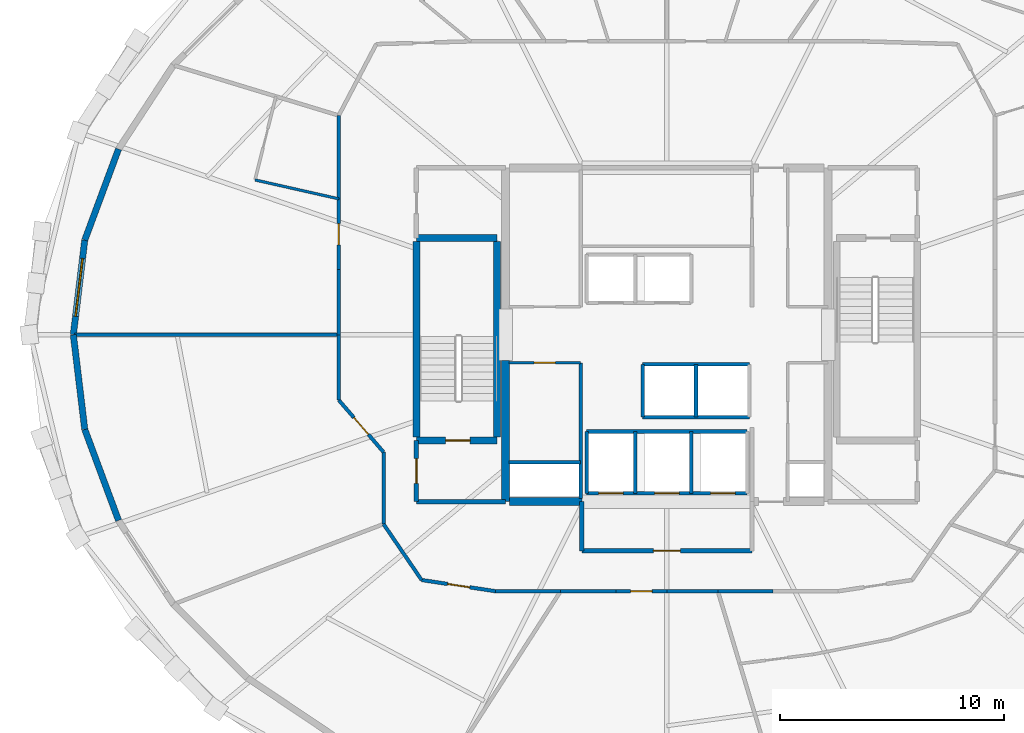
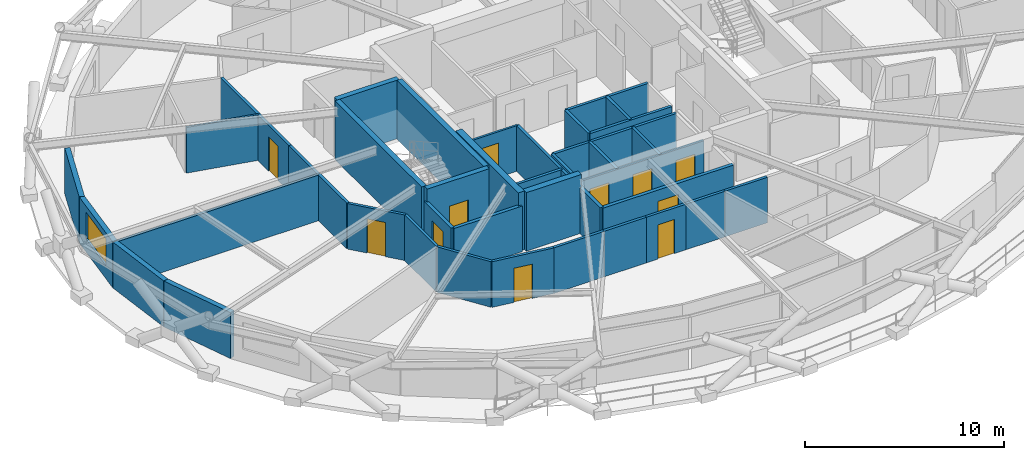
# One storey, part 14 of 21: 41 walls, 11 doors, 1 window, 12 openings.
"""IFC4 building model written with IfcOpenShell, lengths in metres."""

from ifc_helpers import new_model, si_unit, direction, frame, frame_2d, origin, place, context, subcontext, project, spatial, rectangle, extrude, material, layer, layer_set, type_object, element, fill, save


model = new_model("IFC4")

# Units and contexts
model_context = context("Model", 3, precision=1e-05, world=origin(), true_north=direction((0.0, 1.0)))
body_context = subcontext(model_context, "Body", "Model", "MODEL_VIEW")
ifc_project = project(units=[si_unit("LENGTHUNIT", "METRE"), si_unit("AREAUNIT", "SQUARE_METRE"), si_unit("VOLUMEUNIT", "CUBIC_METRE"), si_unit("PLANEANGLEUNIT", "RADIAN"), si_unit("MASSUNIT", "GRAM", prefix="KILO")], contexts=[model_context])

# Site, building, storey
site_placement = place(None, origin())
site = spatial("IfcSite", under=ifc_project, at=site_placement, CompositionType="ELEMENT")
building_placement = place(site_placement, origin())
building = spatial("IfcBuilding", under=site, at=building_placement, Name="Veldorina Hangang Commons", CompositionType="ELEMENT")
storey_placement = place(building_placement, frame((0.0, 0.0, 138.800048828125)))
storey = spatial("IfcBuildingStorey", under=building, at=storey_placement, Name="L35", CompositionType="ELEMENT", Elevation=138.800048828125)

# Walls
ifc_material_1 = material(Name="Concrete C60/75", Category="concrete")
ifc_layer_1 = layer(ifc_material_1, 0.360107421875)
ifc_layer_set_1 = layer_set([ifc_layer_1], Name="Concrete C60/75")
wall_type_1 = type_object("IfcWallType", Name="CW-RC360-C60", PredefinedType="SHEAR", material=ifc_layer_set_1)
wall_1_placement = place(storey_placement, frame((24.800048828125, 16.550048828125, 0.0), z_axis=(0.0, 0.0, 1.0), x_axis=(0.0, 1.0, 0.0)))
element("IfcWall", 1, at=wall_1_placement, inside=storey, type_object=wall_type_1, Name="L35 W south core shear wall", PredefinedType="SHEAR", context=body_context, shape_type="SweptSolid", body=[
    extrude(rectangle(XDim=6.300048828125, YDim=0.360107421875, at=frame_2d((3.14990234375, 0.0))), origin(), (0.0, 0.0, 1.0), 3.599853515625),
])
wall_2_placement = place(storey_placement, frame((24.97998046875, 16.550048828125, 0.0), z_axis=(0.0, 0.0, 1.0), x_axis=(1.0, 0.0, 0.0)))
element("IfcWall", 2, at=wall_2_placement, inside=storey, type_object=wall_type_1, Name="L35 south-west core shear wall", PredefinedType="SHEAR", context=body_context, shape_type="SweptSolid", body=[
    extrude(rectangle(XDim=3.219970703125, YDim=0.360107421875, at=frame_2d((1.60986328125, 0.0))), origin(), (0.0, 0.0, 1.0), 3.599853515625),
])
ifc_material_2 = material(Name="Stone Roman Travertine", Category="masonry")
ifc_layer_2 = layer(ifc_material_2, 0.280029296875)
ifc_layer_set_2 = layer_set([ifc_layer_2], Name="Stone Roman Travertine")
wall_type_2 = type_object("IfcWallType", Name="EW-TRAV-280", PredefinedType="STANDARD", material=ifc_layer_set_2)
wall_3_placement = place(storey_placement, frame((7.518798828125, 32.289306640625, 0.0), z_axis=(0.0, 0.0, 1.0), x_axis=(-0.347886684165, -0.937536588609, 0.0)))
element("IfcWall", 3, at=wall_3_placement, inside=storey, type_object=wall_type_2, Name="L35 travertine facade wall 14", PredefinedType="STANDARD", context=body_context, shape_type="SweptSolid", body=[
    extrude(rectangle(XDim=4.334228515625, YDim=0.280029296875, at=frame_2d((2.1669921875, 0.0))), origin(), (0.0, 0.0, 1.0), 2.820068359375),
])

# Wall, opening, window
wall_4_placement = place(storey_placement, frame((6.010986328125, 28.225830078125, 0.0), z_axis=(0.0, 0.0, 1.0), x_axis=(-0.119649579006, -0.992816185527, 0.0)))
wall_4 = element("IfcWall", 4, at=wall_4_placement, inside=storey, type_object=wall_type_2, Name="L35 travertine facade wall 15", PredefinedType="STANDARD", context=body_context, shape_type="SweptSolid", body=[
    extrude(rectangle(XDim=4.25634765625, YDim=0.280029296875, at=frame_2d((2.128173828125, 0.0))), origin(), (0.0, 0.0, 1.0), 2.820068359375),
])
opening_1_placement = place(wall_4_placement, frame((0.828125, 0.0, 0.800048828125)))
opening_1 = element("IfcOpeningElement", 5, at=opening_1_placement, cuts=wall_4, Name="Opening W-02", PredefinedType="OPENING", context=body_context, shape_type="SweptSolid", body=[
    extrude(rectangle(XDim=2.60009765625, YDim=1.64990234375, at=frame_2d((1.300048828125, 0.824951171875))), frame((0.0, 0.14990234375, 0.0), z_axis=(0.0, -1.0, 0.0), x_axis=(1.0, 0.0, 0.0)), (0.0, 0.0, 1.0), 0.300048828125),
])
ifc_material_3 = material(Name="Glass Low-E Triple IGU", Category="glass")
window_type = type_object("IfcWindowType", Name="WIN-TWR-2600", PartitioningType="SINGLE_PANEL", PredefinedType="WINDOW", material=ifc_material_3)
window_placement = place(opening_1_placement, origin())
window = element("IfcWindow", 6, at=window_placement, inside=storey, type_object=window_type, Name="L35 facade window 15", OverallHeight=1.64990234375, OverallWidth=2.60009765625, PartitioningType="SINGLE_PANEL", PredefinedType="WINDOW", context=body_context, shape_type="SweptSolid", body=[
    extrude(rectangle(XDim=2.60009765625, YDim=1.64990234375, at=frame_2d((1.300048828125, 0.824951171875))), frame((0.0, 0.030029296875, 0.0), z_axis=(0.0, -1.0, 0.0), x_axis=(1.0, 0.0, 0.0)), (0.0, 0.0, 1.0), 0.06005859375),
])
fill(opening_1, window)

# Walls
wall_5_placement = place(storey_placement, frame((5.501708984375, 24.0, 0.0), z_axis=(0.0, 0.0, 1.0), x_axis=(0.119649579006, -0.992816185527, 0.0)))
element("IfcWall", 7, at=wall_5_placement, inside=storey, type_object=wall_type_2, Name="L35 travertine facade wall 16", PredefinedType="STANDARD", context=body_context, shape_type="SweptSolid", body=[
    extrude(rectangle(XDim=4.25634765625, YDim=0.280029296875, at=frame_2d((2.128173828125, 0.0))), origin(), (0.0, 0.0, 1.0), 2.820068359375),
])
wall_6_placement = place(storey_placement, frame((6.010986328125, 19.774169921875, 0.0), z_axis=(0.0, 0.0, 1.0), x_axis=(0.347886684165, -0.937536588609, 0.0)))
element("IfcWall", 8, at=wall_6_placement, inside=storey, type_object=wall_type_2, Name="L35 travertine facade wall 17", PredefinedType="STANDARD", context=body_context, shape_type="SweptSolid", body=[
    extrude(rectangle(XDim=4.334228515625, YDim=0.280029296875, at=frame_2d((2.1669921875, 0.0))), origin(), (0.0, 0.0, 1.0), 2.820068359375),
])
ifc_material_4 = material(Name="Concrete C50/60", Category="concrete")
ifc_layer_3 = layer(ifc_material_4, 0.300048828125)
ifc_layer_set_3 = layer_set([ifc_layer_3], Name="Concrete C50/60")
wall_type_3 = type_object("IfcWallType", Name="SW-STAIR-300", PredefinedType="SHEAR", material=ifc_layer_set_3)
for number, where, z_axis, x_axis, name in (
    (9, (20.820068359375, 19.429931640625, 0.0), (0.0, 0.0, 1.0), (0.0, 1.0, 0.0), "L35 ST1 outer stair shear wall"),
    (10, (24.419921875, 19.429931640625, 0.0), (0.0, 0.0, 1.0), (0.0, 1.0, 0.0), "L35 ST1 inner stair shear wall"),
):
    element("IfcWall", number, at=place(storey_placement, frame(where, z_axis=z_axis, x_axis=x_axis)), inside=storey, type_object=wall_type_3, Name=name, PredefinedType="SHEAR", context=body_context, shape_type="SweptSolid", body=[
        extrude(rectangle(XDim=8.739990234375, YDim=0.300048828125, at=frame_2d((4.3701171875, 0.0))), origin(), (0.0, 0.0, 1.0), 3.599853515625),
    ])

# Wall, opening, door
wall_7_placement = place(storey_placement, frame((20.820068359375, 19.280029296875, 0.0), z_axis=(0.0, 0.0, 1.0), x_axis=(1.0, 0.0, 0.0)))
wall_7 = element("IfcWall", 11, at=wall_7_placement, inside=storey, type_object=wall_type_3, Name="L35 ST1 south stair shear wall", PredefinedType="SHEAR", context=body_context, shape_type="SweptSolid", body=[
    extrude(rectangle(XDim=3.599853515625, YDim=0.300048828125, at=frame_2d((1.7998046875, 0.0))), origin(), (0.0, 0.0, 1.0), 3.599853515625),
])
opening_2_placement = place(wall_7_placement, frame((1.300048828125, 0.0, 0.0)))
opening_2 = element("IfcOpeningElement", 12, at=opening_2_placement, cuts=wall_7, Name="Opening D-08", PredefinedType="OPENING", context=body_context, shape_type="SweptSolid", body=[
    extrude(rectangle(XDim=1.10009765625, YDim=2.10009765625, at=frame_2d((0.550048828125, 1.050048828125))), frame((0.0, 0.16015625, 0.0), z_axis=(0.0, -1.0, 0.0), x_axis=(1.0, 0.0, 0.0)), (0.0, 0.0, 1.0), 0.320068359375),
])
ifc_material_5 = material(Name="Steel Fire-Rated Smoke Seal", Category="steel")
door_type_1 = type_object("IfcDoorType", Name="DR-FIRE-1100", OperationType="SINGLE_SWING_RIGHT", PredefinedType="DOOR", material=ifc_material_5)
door_1_placement = place(opening_2_placement, origin())
door_1 = element("IfcDoor", 13, at=door_1_placement, inside=storey, type_object=door_type_1, Name="L35 Special Escape Stair ST-1 door", OperationType="SINGLE_SWING_LEFT", OverallHeight=2.10009765625, OverallWidth=1.10009765625, PredefinedType="DOOR", context=body_context, shape_type="SweptSolid", body=[
    extrude(rectangle(XDim=1.10009765625, YDim=2.10009765625, at=frame_2d((0.550048828125, 1.050048828125))), frame((0.0, 0.02490234375, 0.0), z_axis=(0.0, -1.0, 0.0), x_axis=(1.0, 0.0, 0.0)), (0.0, 0.0, 1.0), 0.050048828125),
])
fill(opening_2, door_1)

# Walls
wall_8_placement = place(storey_placement, frame((20.820068359375, 28.320068359375, 0.0), z_axis=(0.0, 0.0, 1.0), x_axis=(1.0, 0.0, 0.0)))
element("IfcWall", 14, at=wall_8_placement, inside=storey, type_object=wall_type_3, Name="L35 ST1 north stair shear wall", PredefinedType="SHEAR", context=body_context, shape_type="SweptSolid", body=[
    extrude(rectangle(XDim=3.599853515625, YDim=0.300048828125, at=frame_2d((1.7998046875, 0.0))), origin(), (0.0, 0.0, 1.0), 3.599853515625),
])
ifc_material_6 = material(Name="Gypsum Fire-Rated Twin Stud Wall", Category="gypsum")
ifc_layer_4 = layer(ifc_material_6, 0.159912109375)
ifc_layer_set_4 = layer_set([ifc_layer_4], Name="Gypsum Fire-Rated Twin Stud Wall")
wall_type_4 = type_object("IfcWallType", Name="WL-FIRE-160", PredefinedType="SOLIDWALL", material=ifc_layer_set_4)
for number, where, z_axis, x_axis, name in (
    (15, (30.919921875, 22.679931640625, 0.0), (0.0, 0.0, 1.0), (1.0, 0.0, 0.0), "L35 Shuttle-high front shaft wall 020"),
    (16, (30.919921875, 20.320068359375, 0.0), (0.0, 0.0, 1.0), (1.0, 0.0, 0.0), "L35 Shuttle-high rear shaft wall 021"),
):
    element("IfcWall", number, at=place(storey_placement, frame(where, z_axis=z_axis, x_axis=x_axis)), inside=storey, type_object=wall_type_4, Name=name, PredefinedType="SOLIDWALL", context=body_context, shape_type="SweptSolid", body=[
        extrude(rectangle(XDim=4.760009765625, YDim=0.159912109375, at=frame_2d((2.3798828125, 0.0))), origin(), (0.0, 0.0, 1.0), 2.800048828125),
    ])
for number, where, z_axis, x_axis, name in (
    (17, (30.919921875, 20.320068359375, 0.0), (0.0, 0.0, 1.0), (0.0, 1.0, 0.0), "L35 SL-1 west shaft wall 022"),
    (18, (33.300048828125, 20.320068359375, 0.0), (0.0, 0.0, 1.0), (0.0, 1.0, 0.0), "L35 SL-1 east shaft wall 023"),
):
    element("IfcWall", number, at=place(storey_placement, frame(where, z_axis=z_axis, x_axis=x_axis)), inside=storey, type_object=wall_type_4, Name=name, PredefinedType="SOLIDWALL", context=body_context, shape_type="SweptSolid", body=[
        extrude(rectangle(XDim=2.35986328125, YDim=0.159912109375, at=frame_2d((1.179931640625, 0.0))), origin(), (0.0, 0.0, 1.0), 2.800048828125),
    ])

# Wall, openings, doors
wall_9_placement = place(storey_placement, frame((28.419921875, 16.919921875, 0.0), z_axis=(0.0, 0.0, 1.0), x_axis=(1.0, 0.0, 0.0)))
wall_9 = element("IfcWall", 19, at=wall_9_placement, inside=storey, type_object=wall_type_4, Name="L35 Emergency front shaft wall 025", PredefinedType="SOLIDWALL", context=body_context, shape_type="SweptSolid", body=[
    extrude(rectangle(XDim=7.16015625, YDim=0.159912109375, at=frame_2d((3.580078125, 0.0))), origin(), (0.0, 0.0, 1.0), 2.800048828125),
])
opening_3_placement = place(wall_9_placement, frame((0.530029296875, 0.0, 0.0)))
opening_3 = element("IfcOpeningElement", 20, at=opening_3_placement, cuts=wall_9, Name="Opening LD-03", PredefinedType="OPENING", context=body_context, shape_type="SweptSolid", body=[
    extrude(rectangle(XDim=1.10009765625, YDim=2.14990234375, at=frame_2d((0.550048828125, 1.074951171875))), frame((0.0, 0.08984375, 0.0), z_axis=(0.0, -1.0, 0.0), x_axis=(1.0, 0.0, 0.0)), (0.0, 0.0, 1.0), 0.179931640625),
])
opening_4_placement = place(wall_9_placement, frame((3.030029296875, 0.0, 0.0)))
opening_4 = element("IfcOpeningElement", 21, at=opening_4_placement, cuts=wall_9, Name="Opening LD-03", PredefinedType="OPENING", context=body_context, shape_type="SweptSolid", body=[
    extrude(rectangle(XDim=1.10009765625, YDim=2.14990234375, at=frame_2d((0.550048828125, 1.074951171875))), frame((0.0, 0.08984375, 0.0), z_axis=(0.0, -1.0, 0.0), x_axis=(1.0, 0.0, 0.0)), (0.0, 0.0, 1.0), 0.179931640625),
])
opening_5_placement = place(wall_9_placement, frame((5.530029296875, 0.0, 0.0)))
opening_5 = element("IfcOpeningElement", 22, at=opening_5_placement, cuts=wall_9, Name="Opening LD-03", PredefinedType="OPENING", context=body_context, shape_type="SweptSolid", body=[
    extrude(rectangle(XDim=1.10009765625, YDim=2.14990234375, at=frame_2d((0.550048828125, 1.074951171875))), frame((0.0, 0.08984375, 0.0), z_axis=(0.0, -1.0, 0.0), x_axis=(1.0, 0.0, 0.0)), (0.0, 0.0, 1.0), 0.179931640625),
])
ifc_material_7 = material(Name="Stainless Steel Firefighting Lift Door", Category="steel")
door_type_2 = type_object("IfcDoorType", Name="DR-LIFT-FF1100", OperationType="SLIDING_TO_RIGHT", PredefinedType="DOOR", material=ifc_material_7)
door_2_placement = place(opening_3_placement, origin())
door_2 = element("IfcDoor", 23, at=door_2_placement, inside=storey, type_object=door_type_2, Name="L35 Emergency lift FFL-1 landing door 008", OperationType="SLIDING_TO_RIGHT", OverallHeight=2.14990234375, OverallWidth=1.10009765625, PredefinedType="DOOR", context=body_context, shape_type="SweptSolid", body=[
    extrude(rectangle(XDim=1.10009765625, YDim=2.14990234375, at=frame_2d((0.550048828125, 1.074951171875))), frame((0.0, 0.02490234375, 0.0), z_axis=(0.0, -1.0, 0.0), x_axis=(1.0, 0.0, 0.0)), (0.0, 0.0, 1.0), 0.050048828125),
])
fill(opening_3, door_2)
door_3_placement = place(opening_4_placement, origin())
door_3 = element("IfcDoor", 24, at=door_3_placement, inside=storey, type_object=door_type_2, Name="L35 Emergency lift FFL-2 landing door 009", OperationType="SLIDING_TO_RIGHT", OverallHeight=2.14990234375, OverallWidth=1.10009765625, PredefinedType="DOOR", context=body_context, shape_type="SweptSolid", body=[
    extrude(rectangle(XDim=1.10009765625, YDim=2.14990234375, at=frame_2d((0.550048828125, 1.074951171875))), frame((0.0, 0.02490234375, 0.0), z_axis=(0.0, -1.0, 0.0), x_axis=(1.0, 0.0, 0.0)), (0.0, 0.0, 1.0), 0.050048828125),
])
fill(opening_4, door_3)
door_4_placement = place(opening_5_placement, origin())
door_4 = element("IfcDoor", 25, at=door_4_placement, inside=storey, type_object=door_type_2, Name="L35 Emergency lift EVL-1 landing door 010", OperationType="SLIDING_TO_RIGHT", OverallHeight=2.14990234375, OverallWidth=1.10009765625, PredefinedType="DOOR", context=body_context, shape_type="SweptSolid", body=[
    extrude(rectangle(XDim=1.10009765625, YDim=2.14990234375, at=frame_2d((0.550048828125, 1.074951171875))), frame((0.0, 0.02490234375, 0.0), z_axis=(0.0, -1.0, 0.0), x_axis=(1.0, 0.0, 0.0)), (0.0, 0.0, 1.0), 0.050048828125),
])
fill(opening_5, door_4)

# Walls
wall_10_placement = place(storey_placement, frame((28.419921875, 19.679931640625, 0.0), z_axis=(0.0, 0.0, 1.0), x_axis=(1.0, 0.0, 0.0)))
element("IfcWall", 26, at=wall_10_placement, inside=storey, type_object=wall_type_4, Name="L35 Emergency rear shaft wall 026", PredefinedType="SOLIDWALL", context=body_context, shape_type="SweptSolid", body=[
    extrude(rectangle(XDim=7.16015625, YDim=0.159912109375, at=frame_2d((3.580078125, 0.0))), origin(), (0.0, 0.0, 1.0), 2.800048828125),
])
for number, where, z_axis, x_axis, name in (
    (27, (28.419921875, 16.919921875, 0.0), (0.0, 0.0, 1.0), (0.0, 1.0, 0.0), "L35 FFL-1 west shaft wall 027"),
    (28, (30.580078125, 16.919921875, 0.0), (0.0, 0.0, 1.0), (0.0, 1.0, 0.0), "L35 FFL-1 east shaft wall 028"),
    (29, (33.080078125, 16.919921875, 0.0), (0.0, 0.0, 1.0), (0.0, 1.0, 0.0), "L35 FFL-2 east shaft wall 029"),
):
    element("IfcWall", number, at=place(storey_placement, frame(where, z_axis=z_axis, x_axis=x_axis)), inside=storey, type_object=wall_type_4, Name=name, PredefinedType="SOLIDWALL", context=body_context, shape_type="SweptSolid", body=[
        extrude(rectangle(XDim=2.760009765625, YDim=0.159912109375, at=frame_2d((1.3798828125, 0.0))), origin(), (0.0, 0.0, 1.0), 2.800048828125),
    ])
wall_11_placement = place(storey_placement, frame((24.949951171875, 18.300048828125, 0.0), z_axis=(0.0, 0.0, 1.0), x_axis=(1.0, 0.0, 0.0)))
element("IfcWall", 30, at=wall_11_placement, inside=storey, type_object=wall_type_4, Name="L35 Electrical riser wall 034", PredefinedType="SOLIDWALL", context=body_context, shape_type="SweptSolid", body=[
    extrude(rectangle(XDim=3.199951171875, YDim=0.159912109375, at=frame_2d((1.60009765625, 0.0))), origin(), (0.0, 0.0, 1.0), 2.800048828125),
])
wall_12_placement = place(storey_placement, frame((28.14990234375, 16.699951171875, 0.0), z_axis=(0.0, 0.0, 1.0), x_axis=(0.0, 1.0, 0.0)))
element("IfcWall", 31, at=wall_12_placement, inside=storey, type_object=wall_type_4, Name="L35 SW core inner wall 035", PredefinedType="SOLIDWALL", context=body_context, shape_type="SweptSolid", body=[
    extrude(rectangle(XDim=6.050048828125, YDim=0.159912109375, at=frame_2d((3.02490234375, 0.0))), origin(), (0.0, 0.0, 1.0), 2.800048828125),
])
wall_13_placement = place(storey_placement, frame((17.35009765625, 33.788818359375, 0.0), z_axis=(0.0, 0.0, 1.0), x_axis=(0.0, -1.0, 0.0)))
element("IfcWall", 32, at=wall_13_placement, inside=storey, type_object=wall_type_4, Name="L35 U-corridor outer wall 13 057", PredefinedType="SOLIDWALL", context=body_context, shape_type="SweptSolid", body=[
    extrude(rectangle(XDim=3.720703125, YDim=0.159912109375, at=frame_2d((1.8603515625, 0.0))), origin(), (0.0, 0.0, 1.0), 2.800048828125),
])

# Wall, opening, door
wall_14_placement = place(storey_placement, frame((17.35009765625, 30.068115234375, 0.0), z_axis=(0.0, 0.0, 1.0), x_axis=(0.0, -1.0, 0.0)))
wall_14 = element("IfcWall", 33, at=wall_14_placement, inside=storey, type_object=wall_type_4, Name="L35 U-corridor outer wall 14 058", PredefinedType="SOLIDWALL", context=body_context, shape_type="SweptSolid", body=[
    extrude(rectangle(XDim=3.154052734375, YDim=0.159912109375, at=frame_2d((1.5771484375, 0.0))), origin(), (0.0, 0.0, 1.0), 2.800048828125),
])
opening_6_placement = place(wall_14_placement, frame((1.10205078125, 0.0, 0.0)))
opening_6 = element("IfcOpeningElement", 34, at=opening_6_placement, cuts=wall_14, Name="Opening D-03", PredefinedType="OPENING", context=body_context, shape_type="SweptSolid", body=[
    extrude(rectangle(XDim=0.949951171875, YDim=2.10009765625, at=frame_2d((0.47509765625, 1.050048828125))), frame((0.0, 0.08984375, 0.0), z_axis=(0.0, -1.0, 0.0), x_axis=(1.0, 0.0, 0.0)), (0.0, 0.0, 1.0), 0.179931640625),
])
ifc_material_8 = material(Name="Timber Fire-Rated Entrance Core", Category="wood")
door_type_3 = type_object("IfcDoorType", Name="DR-UNIT-950", OperationType="SINGLE_SWING_RIGHT", PredefinedType="DOOR", material=ifc_material_8)
door_5_placement = place(opening_6_placement, origin())
door_5 = element("IfcDoor", 35, at=door_5_placement, inside=storey, type_object=door_type_3, Name="L35 Studio 7 entrance door 035", OperationType="SINGLE_SWING_LEFT", OverallHeight=2.10009765625, OverallWidth=0.949951171875, PredefinedType="DOOR", context=body_context, shape_type="SweptSolid", body=[
    extrude(rectangle(XDim=0.949951171875, YDim=2.10009765625, at=frame_2d((0.47509765625, 1.050048828125))), frame((0.0, 0.02490234375, 0.0), z_axis=(0.0, -1.0, 0.0), x_axis=(1.0, 0.0, 0.0)), (0.0, 0.0, 1.0), 0.050048828125),
])
fill(opening_6, door_5)

# Walls
for number, where, z_axis, x_axis, name in (
    (36, (17.35009765625, 26.9140625, 0.0), (0.0, 0.0, 1.0), (0.0, -1.0, 0.0), "L35 U-corridor outer wall 15 059"),
    (37, (17.35009765625, 24.0, 0.0), (0.0, 0.0, 1.0), (0.0, -1.0, 0.0), "L35 U-corridor outer wall 16 060"),
):
    element("IfcWall", number, at=place(storey_placement, frame(where, z_axis=z_axis, x_axis=x_axis)), inside=storey, type_object=wall_type_4, Name=name, PredefinedType="SOLIDWALL", context=body_context, shape_type="SweptSolid", body=[
        extrude(rectangle(XDim=2.9140625, YDim=0.159912109375, at=frame_2d((1.45703125, 0.0))), origin(), (0.0, 0.0, 1.0), 2.800048828125),
    ])

# Wall, opening, door
wall_15_placement = place(storey_placement, frame((17.35009765625, 21.0859375, 0.0), z_axis=(0.0, 0.0, 1.0), x_axis=(0.652022797448, -0.758199361388, 0.0)))
wall_15 = element("IfcWall", 38, at=wall_15_placement, inside=storey, type_object=wall_type_4, Name="L35 U-corridor outer wall 17 061", PredefinedType="SOLIDWALL", context=body_context, shape_type="SweptSolid", body=[
    extrude(rectangle(XDim=3.0673828125, YDim=0.159912109375, at=frame_2d((1.53369140625, 0.0))), origin(), (0.0, 0.0, 1.0), 2.800048828125),
])
opening_7_placement = place(wall_15_placement, frame((1.03369140625, 0.0, 0.0)))
opening_7 = element("IfcOpeningElement", 39, at=opening_7_placement, cuts=wall_15, Name="Opening D-05", PredefinedType="OPENING", context=body_context, shape_type="SweptSolid", body=[
    extrude(rectangle(XDim=1.0, YDim=2.10009765625, at=frame_2d((0.5, 1.050048828125))), frame((0.0, 0.08984375, 0.0), z_axis=(0.0, -1.0, 0.0), x_axis=(1.0, 0.0, 0.0)), (0.0, 0.0, 1.0), 0.179931640625),
])
ifc_material_9 = material(Name="Timber Solid Core Acoustic", Category="wood")
door_type_4 = type_object("IfcDoorType", Name="DR-INT-1000", OperationType="SINGLE_SWING_RIGHT", PredefinedType="DOOR", material=ifc_material_9)
door_6_placement = place(opening_7_placement, origin())
door_6 = element("IfcDoor", 40, at=door_6_placement, inside=storey, type_object=door_type_4, Name="L35 Floor Study Room 8 door 036", OperationType="SINGLE_SWING_RIGHT", OverallHeight=2.10009765625, OverallWidth=1.0, PredefinedType="DOOR", context=body_context, shape_type="SweptSolid", body=[
    extrude(rectangle(XDim=1.0, YDim=2.10009765625, at=frame_2d((0.5, 1.050048828125))), frame((0.0, 0.02490234375, 0.0), z_axis=(0.0, -1.0, 0.0), x_axis=(1.0, 0.0, 0.0)), (0.0, 0.0, 1.0), 0.050048828125),
])
fill(opening_7, door_6)

# Walls
wall_16_placement = place(storey_placement, frame((19.35009765625, 18.76025390625, 0.0), z_axis=(0.0, 0.0, 1.0), x_axis=(0.0, -1.0, 0.0)))
element("IfcWall", 41, at=wall_16_placement, inside=storey, type_object=wall_type_4, Name="L35 U-corridor outer wall 18 062", PredefinedType="SOLIDWALL", context=body_context, shape_type="SweptSolid", body=[
    extrude(rectangle(XDim=3.212646484375, YDim=0.159912109375, at=frame_2d((1.6064453125, 0.0))), origin(), (0.0, 0.0, 1.0), 2.800048828125),
])
wall_17_placement = place(storey_placement, frame((19.35009765625, 15.547607421875, 0.0), z_axis=(0.0, 0.0, 1.0), x_axis=(0.562674669208, -0.826678423955, 0.0)))
element("IfcWall", 42, at=wall_17_placement, inside=storey, type_object=wall_type_4, Name="L35 U-corridor outer wall 19 063", PredefinedType="SOLIDWALL", context=body_context, shape_type="SweptSolid", body=[
    extrude(rectangle(XDim=3.021240234375, YDim=0.159912109375, at=frame_2d((1.5107421875, 0.0))), origin(), (0.0, 0.0, 1.0), 2.800048828125),
])

# Wall, opening, door
wall_18_placement = place(storey_placement, frame((21.050048828125, 13.050048828125, 0.0), z_axis=(0.0, 0.0, 1.0), x_axis=(0.988710906508, -0.149835721217, 0.0)))
wall_18 = element("IfcWall", 43, at=wall_18_placement, inside=storey, type_object=wall_type_4, Name="L35 U-corridor outer wall 20 064", PredefinedType="SOLIDWALL", context=body_context, shape_type="SweptSolid", body=[
    extrude(rectangle(XDim=3.3369140625, YDim=0.159912109375, at=frame_2d((1.66845703125, 0.0))), origin(), (0.0, 0.0, 1.0), 2.800048828125),
])
opening_8_placement = place(wall_18_placement, frame((1.16845703125, 0.0, 0.0)))
opening_8 = element("IfcOpeningElement", 44, at=opening_8_placement, cuts=wall_18, Name="Opening D-05", PredefinedType="OPENING", context=body_context, shape_type="SweptSolid", body=[
    extrude(rectangle(XDim=1.0, YDim=2.10009765625, at=frame_2d((0.5, 1.050048828125))), frame((0.0, 0.08984375, 0.0), z_axis=(0.0, -1.0, 0.0), x_axis=(1.0, 0.0, 0.0)), (0.0, 0.0, 1.0), 0.179931640625),
])
door_7_placement = place(opening_8_placement, origin())
door_7 = element("IfcDoor", 45, at=door_7_placement, inside=storey, type_object=door_type_4, Name="L35 Floor Study Room 9 door 037", OperationType="SINGLE_SWING_LEFT", OverallHeight=2.10009765625, OverallWidth=1.0, PredefinedType="DOOR", context=body_context, shape_type="SweptSolid", body=[
    extrude(rectangle(XDim=1.0, YDim=2.10009765625, at=frame_2d((0.5, 1.050048828125))), frame((0.0, 0.02490234375, 0.0), z_axis=(0.0, -1.0, 0.0), x_axis=(1.0, 0.0, 0.0)), (0.0, 0.0, 1.0), 0.050048828125),
])
fill(opening_8, door_7)

# Walls
wall_19_placement = place(storey_placement, frame((24.349365234375, 12.550048828125, 0.0), z_axis=(0.0, 0.0, 1.0), x_axis=(1.0, 0.0, 0.0)))
element("IfcWall", 46, at=wall_19_placement, inside=storey, type_object=wall_type_4, Name="L35 U-corridor outer wall 21 065", PredefinedType="SOLIDWALL", context=body_context, shape_type="SweptSolid", body=[
    extrude(rectangle(XDim=2.907958984375, YDim=0.159912109375, at=frame_2d((1.4541015625, 0.0))), origin(), (0.0, 0.0, 1.0), 2.800048828125),
])
wall_20_placement = place(storey_placement, frame((27.25732421875, 12.550048828125, 0.0), z_axis=(0.0, 0.0, 1.0), x_axis=(1.0, 0.0, 0.0)))
element("IfcWall", 47, at=wall_20_placement, inside=storey, type_object=wall_type_4, Name="L35 U-corridor outer wall 22 066", PredefinedType="SOLIDWALL", context=body_context, shape_type="SweptSolid", body=[
    extrude(rectangle(XDim=2.465087890625, YDim=0.159912109375, at=frame_2d((1.232421875, 0.0))), origin(), (0.0, 0.0, 1.0), 2.800048828125),
])

# Wall, opening, door
wall_21_placement = place(storey_placement, frame((29.722412109375, 12.550048828125, 0.0), z_axis=(0.0, 0.0, 1.0), x_axis=(1.0, 0.0, 0.0)))
wall_21 = element("IfcWall", 48, at=wall_21_placement, inside=storey, type_object=wall_type_4, Name="L35 U-corridor outer wall 23 067", PredefinedType="SOLIDWALL", context=body_context, shape_type="SweptSolid", body=[
    extrude(rectangle(XDim=2.277587890625, YDim=0.159912109375, at=frame_2d((1.138671875, 0.0))), origin(), (0.0, 0.0, 1.0), 2.800048828125),
])
opening_9_placement = place(wall_21_placement, frame((0.663818359375, 0.0, 0.0)))
opening_9 = element("IfcOpeningElement", 49, at=opening_9_placement, cuts=wall_21, Name="Opening D-02", PredefinedType="OPENING", context=body_context, shape_type="SweptSolid", body=[
    extrude(rectangle(XDim=0.949951171875, YDim=2.10009765625, at=frame_2d((0.47509765625, 1.050048828125))), frame((0.0, 0.08984375, 0.0), z_axis=(0.0, -1.0, 0.0), x_axis=(1.0, 0.0, 0.0)), (0.0, 0.0, 1.0), 0.179931640625),
])
door_type_5 = type_object("IfcDoorType", Name="DR-INT-950", OperationType="SINGLE_SWING_LEFT", PredefinedType="DOOR", material=ifc_material_9)
door_8_placement = place(opening_9_placement, origin())
door_8 = element("IfcDoor", 50, at=door_8_placement, inside=storey, type_object=door_type_5, Name="L35 Linen drying store door 038", OperationType="SINGLE_SWING_RIGHT", OverallHeight=2.10009765625, OverallWidth=0.949951171875, PredefinedType="DOOR", context=body_context, shape_type="SweptSolid", body=[
    extrude(rectangle(XDim=0.949951171875, YDim=2.10009765625, at=frame_2d((0.47509765625, 1.050048828125))), frame((0.0, 0.02490234375, 0.0), z_axis=(0.0, -1.0, 0.0), x_axis=(1.0, 0.0, 0.0)), (0.0, 0.0, 1.0), 0.050048828125),
])
fill(opening_9, door_8)

# Walls
wall_22_placement = place(storey_placement, frame((32.0, 12.550048828125, 0.0), z_axis=(0.0, 0.0, 1.0), x_axis=(1.0, 0.0, 0.0)))
element("IfcWall", 51, at=wall_22_placement, inside=storey, type_object=wall_type_4, Name="L35 U-corridor outer wall 24 068", PredefinedType="SOLIDWALL", context=body_context, shape_type="SweptSolid", body=[
    extrude(rectangle(XDim=2.277587890625, YDim=0.159912109375, at=frame_2d((1.138671875, 0.0))), origin(), (0.0, 0.0, 1.0), 2.800048828125),
])
wall_23_placement = place(storey_placement, frame((34.277587890625, 12.550048828125, 0.0), z_axis=(0.0, 0.0, 1.0), x_axis=(1.0, 0.0, 0.0)))
element("IfcWall", 52, at=wall_23_placement, inside=storey, type_object=wall_type_4, Name="L35 U-corridor outer wall 25 069", PredefinedType="SOLIDWALL", context=body_context, shape_type="SweptSolid", body=[
    extrude(rectangle(XDim=2.465087890625, YDim=0.159912109375, at=frame_2d((1.232421875, 0.0))), origin(), (0.0, 0.0, 1.0), 2.800048828125),
])
wall_24_placement = place(storey_placement, frame((17.35009765625, 24.0, 0.0), z_axis=(0.0, 0.0, 1.0), x_axis=(-1.0, 0.0, 0.0)))
element("IfcWall", 53, at=wall_24_placement, inside=storey, type_object=wall_type_4, Name="L35 Unit party wall 16 109", PredefinedType="SOLIDWALL", context=body_context, shape_type="SweptSolid", body=[
    extrude(rectangle(XDim=11.79833984375, YDim=0.159912109375, at=frame_2d((5.899169921875, 0.0))), origin(), (0.0, 0.0, 1.0), 2.800048828125),
])

# Wall, opening, door
ifc_material_10 = material(Name="Concrete Blockwork Fire Wall C30/37", Category="masonry")
ifc_layer_5 = layer(ifc_material_10, 0.199951171875)
ifc_layer_set_5 = layer_set([ifc_layer_5], Name="Concrete Blockwork Fire Wall C30/37")
wall_type_5 = type_object("IfcWallType", Name="WL-FIRE-200", PredefinedType="SOLIDWALL", material=ifc_layer_set_5)
wall_25_placement = place(storey_placement, frame((20.820068359375, 16.550048828125, 0.0), z_axis=(0.0, 0.0, 1.0), x_axis=(0.0, 1.0, 0.0)))
wall_25 = element("IfcWall", 54, at=wall_25_placement, inside=storey, type_object=wall_type_5, Name="L35 West vestibule outer wall 001", PredefinedType="SOLIDWALL", context=body_context, shape_type="SweptSolid", body=[
    extrude(rectangle(XDim=2.72998046875, YDim=0.199951171875, at=frame_2d((1.364990234375, 0.0))), origin(), (0.0, 0.0, 1.0), 2.800048828125),
])
opening_10_placement = place(wall_25_placement, frame((0.81494140625, 0.0, 0.0)))
opening_10 = element("IfcOpeningElement", 55, at=opening_10_placement, cuts=wall_25, Name="Opening D-08", PredefinedType="OPENING", context=body_context, shape_type="SweptSolid", body=[
    extrude(rectangle(XDim=1.10009765625, YDim=2.10009765625, at=frame_2d((0.550048828125, 1.050048828125))), frame((0.0, 0.10986328125, 0.0), z_axis=(0.0, -1.0, 0.0), x_axis=(1.0, 0.0, 0.0)), (0.0, 0.0, 1.0), 0.219970703125),
])
door_9_placement = place(opening_10_placement, origin())
door_9 = element("IfcDoor", 56, at=door_9_placement, inside=storey, type_object=door_type_1, Name="L35 West vestibule west door 001", OperationType="SINGLE_SWING_LEFT", OverallHeight=2.10009765625, OverallWidth=1.10009765625, PredefinedType="DOOR", context=body_context, shape_type="SweptSolid", body=[
    extrude(rectangle(XDim=1.10009765625, YDim=2.10009765625, at=frame_2d((0.550048828125, 1.050048828125))), frame((0.0, 0.02490234375, 0.0), z_axis=(0.0, -1.0, 0.0), x_axis=(1.0, 0.0, 0.0)), (0.0, 0.0, 1.0), 0.050048828125),
])
fill(opening_10, door_9)

# Walls
wall_26_placement = place(storey_placement, frame((20.820068359375, 16.550048828125, 0.0), z_axis=(0.0, 0.0, 1.0), x_axis=(1.0, 0.0, 0.0)))
element("IfcWall", 57, at=wall_26_placement, inside=storey, type_object=wall_type_5, Name="L35 West vestibule south wall 002", PredefinedType="SOLIDWALL", context=body_context, shape_type="SweptSolid", body=[
    extrude(rectangle(XDim=3.97998046875, YDim=0.199951171875, at=frame_2d((1.989990234375, 0.0))), origin(), (0.0, 0.0, 1.0), 2.800048828125),
])
wall_27_placement = place(storey_placement, frame((28.199951171875, 14.35009765625, 0.0), z_axis=(0.0, 0.0, 1.0), x_axis=(0.0, 1.0, 0.0)))
element("IfcWall", 58, at=wall_27_placement, inside=storey, type_object=wall_type_5, Name="L35 FF lobby west wall 012", PredefinedType="SOLIDWALL", context=body_context, shape_type="SweptSolid", body=[
    extrude(rectangle(XDim=2.199951171875, YDim=0.199951171875, at=frame_2d((1.10009765625, 0.0))), origin(), (0.0, 0.0, 1.0), 2.800048828125),
])

# Wall, opening, door
wall_28_placement = place(storey_placement, frame((28.199951171875, 14.35009765625, 0.0), z_axis=(0.0, 0.0, 1.0), x_axis=(1.0, 0.0, 0.0)))
wall_28 = element("IfcWall", 59, at=wall_28_placement, inside=storey, type_object=wall_type_5, Name="L35 FF lobby south wall 014", PredefinedType="SOLIDWALL", context=body_context, shape_type="SweptSolid", body=[
    extrude(rectangle(XDim=7.60009765625, YDim=0.199951171875, at=frame_2d((3.800048828125, 0.0))), origin(), (0.0, 0.0, 1.0), 2.800048828125),
])
opening_11_placement = place(wall_28_placement, frame((3.199951171875, 0.0, 0.0)))
opening_11 = element("IfcOpeningElement", 60, at=opening_11_placement, cuts=wall_28, Name="Opening D-09", PredefinedType="OPENING", context=body_context, shape_type="SweptSolid", body=[
    extrude(rectangle(XDim=1.199951171875, YDim=2.10009765625, at=frame_2d((0.60009765625, 1.050048828125))), frame((0.0, 0.10986328125, 0.0), z_axis=(0.0, -1.0, 0.0), x_axis=(1.0, 0.0, 0.0)), (0.0, 0.0, 1.0), 0.219970703125),
])
ifc_material_11 = material(Name="Steel Fire-Rated Corridor Door", Category="steel")
door_type_6 = type_object("IfcDoorType", Name="DR-FIRE-1200", OperationType="SINGLE_SWING_LEFT", PredefinedType="DOOR", material=ifc_material_11)
door_10_placement = place(opening_11_placement, origin())
door_10 = element("IfcDoor", 61, at=door_10_placement, inside=storey, type_object=door_type_6, Name="L35 FF lobby south corridor door 005", OperationType="SINGLE_SWING_LEFT", OverallHeight=2.10009765625, OverallWidth=1.199951171875, PredefinedType="DOOR", context=body_context, shape_type="SweptSolid", body=[
    extrude(rectangle(XDim=1.199951171875, YDim=2.10009765625, at=frame_2d((0.60009765625, 1.050048828125))), frame((0.0, 0.02490234375, 0.0), z_axis=(0.0, -1.0, 0.0), x_axis=(1.0, 0.0, 0.0)), (0.0, 0.0, 1.0), 0.050048828125),
])
fill(opening_11, door_10)

ifc_material_12 = material(Name="Gypsum Acoustic Stud Partition", Category="gypsum")
ifc_layer_6 = layer(ifc_material_12, 0.1201171875)
ifc_layer_set_6 = layer_set([ifc_layer_6], Name="Gypsum Acoustic Stud Partition")
wall_type_6 = type_object("IfcWallType", Name="WL-PART-120", PredefinedType="PARTITIONING", material=ifc_layer_set_6)
wall_29_placement = place(storey_placement, frame((24.949951171875, 22.75, 0.0), z_axis=(0.0, 0.0, 1.0), x_axis=(1.0, 0.0, 0.0)))
wall_29 = element("IfcWall", 62, at=wall_29_placement, inside=storey, type_object=wall_type_6, Name="L35 SW service north wall 039", PredefinedType="PARTITIONING", context=body_context, shape_type="SweptSolid", body=[
    extrude(rectangle(XDim=3.199951171875, YDim=0.1201171875, at=frame_2d((1.60009765625, 0.0))), origin(), (0.0, 0.0, 1.0), 2.800048828125),
])
opening_12_placement = place(wall_29_placement, frame((1.125, 0.0, 0.0)))
opening_12 = element("IfcOpeningElement", 63, at=opening_12_placement, cuts=wall_29, Name="Opening D-02", PredefinedType="OPENING", context=body_context, shape_type="SweptSolid", body=[
    extrude(rectangle(XDim=0.949951171875, YDim=2.10009765625, at=frame_2d((0.47509765625, 1.050048828125))), frame((0.0, 0.070068359375, 0.0), z_axis=(0.0, -1.0, 0.0), x_axis=(1.0, 0.0, 0.0)), (0.0, 0.0, 1.0), 0.14013671875),
])
door_11_placement = place(opening_12_placement, origin())
door_11 = element("IfcDoor", 64, at=door_11_placement, inside=storey, type_object=door_type_5, Name="L35 Refuse hold door 013", OperationType="SINGLE_SWING_LEFT", OverallHeight=2.10009765625, OverallWidth=0.949951171875, PredefinedType="DOOR", context=body_context, shape_type="SweptSolid", body=[
    extrude(rectangle(XDim=0.949951171875, YDim=2.10009765625, at=frame_2d((0.47509765625, 1.050048828125))), frame((0.0, 0.02490234375, 0.0), z_axis=(0.0, -1.0, 0.0), x_axis=(1.0, 0.0, 0.0)), (0.0, 0.0, 1.0), 0.050048828125),
])
fill(opening_12, door_11)

# Wall
wall_30_placement = place(storey_placement, frame((17.35009765625, 30.068115234375, 0.0), z_axis=(0.0, 0.0, 1.0), x_axis=(-0.975420676692, 0.220350864492, 0.0)))
element("IfcWall", 65, at=wall_30_placement, inside=storey, type_object=wall_type_6, Name="L35 Studio 7 bath side wall 108", PredefinedType="PARTITIONING", context=body_context, shape_type="SweptSolid", body=[
    extrude(rectangle(XDim=3.830322265625, YDim=0.1201171875, at=frame_2d((1.9150390625, 0.0))), origin(), (0.0, 0.0, 1.0), 2.800048828125),
])

save(model, "model.ifc")
